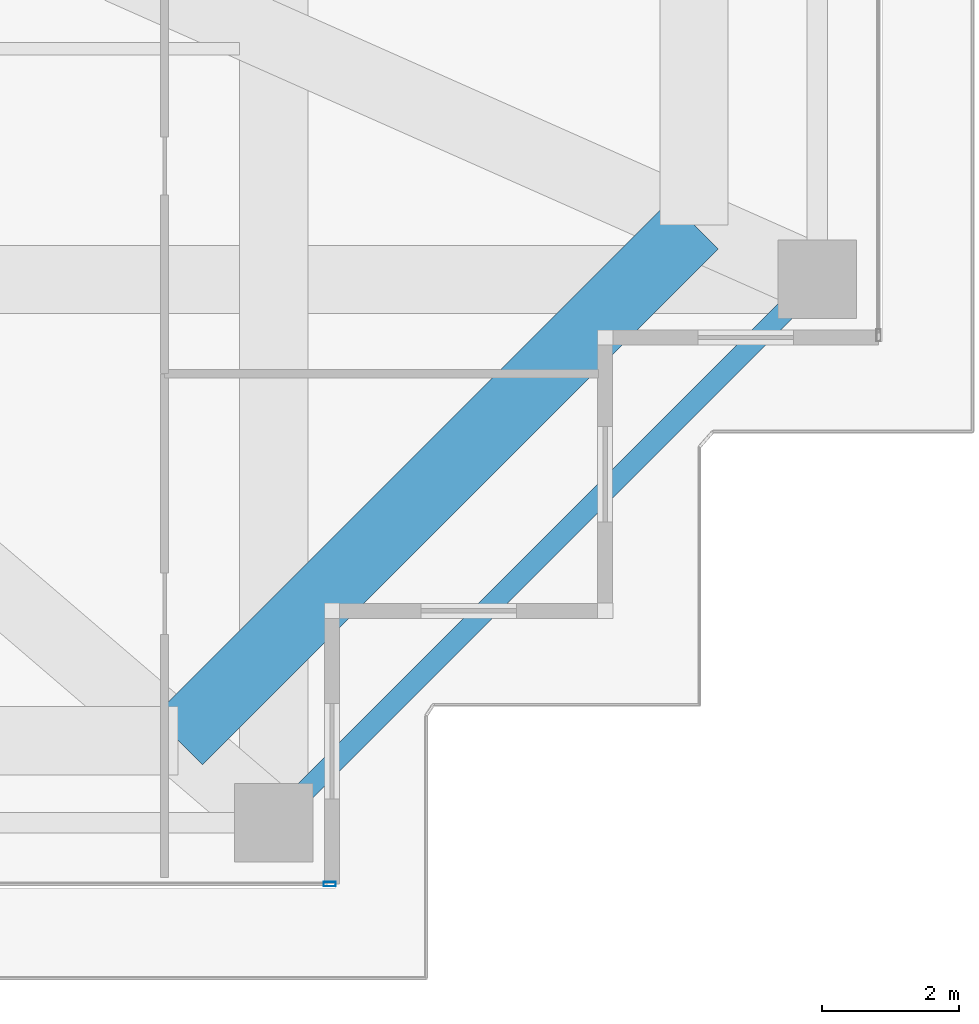
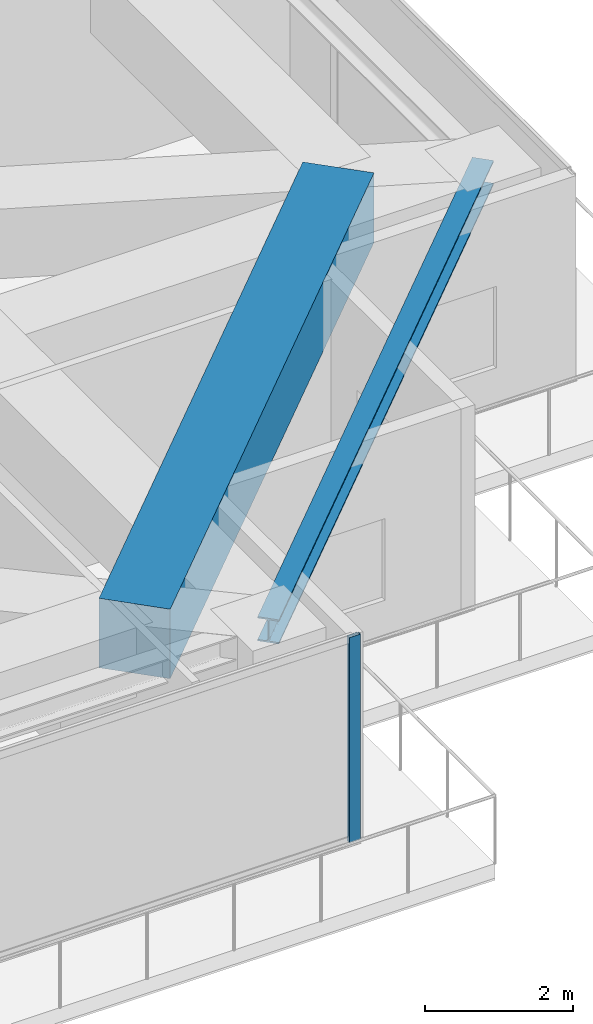
# One storey, part 15 of 39: 2 beams, 1 member, 1 element without a shape of its own.
"""IFC4 building model written with IfcOpenShell, lengths in metres."""

from ifc_helpers import new_model, si_unit, direction, frame, origin, origin_2d, place, context, subcontext, project, spatial, rectangle, hollow_rectangle, i_section, extrude, source, transform, mapped, material, layer, layer_set, material_profile, profile_set, type_object, element, aggregate, save


model = new_model("IFC4")

# Units and contexts
model_context = context("Model", 3, precision=1e-05, world=origin(), true_north=direction((0.0, 1.0)))
body_context = subcontext(model_context, "Body", "Model", "MODEL_VIEW")
ifc_project = project(units=[si_unit("LENGTHUNIT", "METRE"), si_unit("AREAUNIT", "SQUARE_METRE"), si_unit("VOLUMEUNIT", "CUBIC_METRE"), si_unit("PLANEANGLEUNIT", "RADIAN"), si_unit("MASSUNIT", "GRAM", prefix="KILO")], contexts=[model_context])

# Site, building, storey
site_placement = place(None, origin())
site = spatial("IfcSite", under=ifc_project, at=site_placement, CompositionType="ELEMENT")
building_placement = place(site_placement, origin())
building = spatial("IfcBuilding", under=site, at=building_placement, Name="Serunith Strait Residences", CompositionType="ELEMENT")
storey_placement = place(building_placement, frame((0.0, 0.0, 283.60009765625)))
storey = spatial("IfcBuildingStorey", under=building, at=storey_placement, Name="L71", CompositionType="ELEMENT", Elevation=283.60009765625)

# Beams
ifc_material_1 = material(Name="Concrete C80/95", Category="concrete")
ifc_material_profile_1 = material_profile(ifc_material_1, rectangle(XDim=1.0, YDim=1.14990234375, at=origin_2d()), Name="RC 1000x1150")
ifc_profile_set_1 = profile_set([ifc_material_profile_1], Name="Concrete C80/95")
beam_type_1 = type_object("IfcBeamType", Name="BM-XFER-1000x1150", PredefinedType="BEAM", material=ifc_profile_set_1)
shared_shape_1 = source(origin(), body_context, "Body", "SweptSolid", [
    extrude(rectangle(XDim=1.0, YDim=1.14990234375, at=origin_2d()), origin(), (0.0, 0.0, 1.0), 10.677490234375),
])
beam_1_placement = place(storey_placement, frame((47.14990234375, 3.300048828125, 2.8349609375), z_axis=(0.707106781187, 0.707106781187, 0.0), x_axis=(-0.707106781187, 0.707106781187, 0.0)))
element("IfcBeam", 1, at=beam_1_placement, inside=storey, type_object=beam_type_1, Name="L71 Flare Upper Ring Transfer Girder 04", PredefinedType="BEAM", context=body_context, shape_type="MappedRepresentation", body=[
    mapped(shared_shape_1, transform((0.0, 0.0, 0.0), scale=1.0)),
])
ifc_material_2 = material(Name="Steel S355J2", Category="steel")
ifc_material_profile_2 = material_profile(ifc_material_2, i_section(OverallWidth=0.300048828125, OverallDepth=0.39990234375, WebThickness=0.013427734375, FlangeThickness=0.02392578125, FilletRadius=0.027099609375, at=origin_2d()), Name="HEB 400")
ifc_profile_set_2 = profile_set([ifc_material_profile_2], Name="Steel S355J2")
beam_type_2 = type_object("IfcBeamType", Name="BM-HEB400", PredefinedType="BEAM", material=ifc_profile_set_2)
shared_shape_2 = source(origin(), body_context, "Body", "SweptSolid", [
    extrude(i_section(OverallWidth=0.300048828125, OverallDepth=0.39990234375, WebThickness=0.013427734375, FlangeThickness=0.02392578125, FilletRadius=0.027099609375, at=origin_2d()), origin(), (0.0, 0.0, 1.0), 11.242919921875),
])
beam_2_placement = place(storey_placement, frame((48.550048828125, 2.10009765625, 3.206787109375), z_axis=(0.707106781187, 0.707106781187, 0.0), x_axis=(-0.707106781187, 0.707106781187, 0.0)))
element("IfcBeam", 2, at=beam_2_placement, inside=storey, type_object=beam_type_2, Name="L71 Perimeter Ring Beam 04", PredefinedType="BEAM", context=body_context, shape_type="MappedRepresentation", body=[
    mapped(shared_shape_2, transform((0.0, 0.0, 0.0), scale=1.0)),
])

# Curtain wall, member
ifc_material_3 = material(Name="Pale-Champagne Anodised Aluminium", Category="aluminium")
ifc_layer = layer(ifc_material_3, 0.199951171875, Name="Pale-Champagne Anodised Aluminium")
ifc_layer_set = layer_set([ifc_layer], Name="Pale-Champagne Anodised Aluminium")
curtain_wall_type = type_object("IfcCurtainWallType", Name="CW-SYS4", PredefinedType="NOTDEFINED", material=ifc_layer_set)
curtain_wall_placement = place(storey_placement, origin())
curtain_wall = element("IfcCurtainWall", 3, at=curtain_wall_placement, inside=storey, type_object=curtain_wall_type, Name="L71 S Unitised Fritted Curtain Wall", PredefinedType="NOTDEFINED")
ifc_material_profile_3 = material_profile(ifc_material_3, hollow_rectangle(XDim=0.06494140625, YDim=0.179931640625, WallThickness=0.00341796875, InnerFilletRadius=0.00537109375, OuterFilletRadius=0.0087890625, at=origin_2d()), Name="ALU 180x65x3.5")
ifc_profile_set_3 = profile_set([ifc_material_profile_3], Name="Pale-Champagne Anodised Aluminium")
member_type = type_object("IfcMemberType", Name="CW-SYS4-MULL", PredefinedType="MULLION", material=ifc_profile_set_3)
shared_shape_3 = source(origin(), body_context, "Body", "SweptSolid", [
    extrude(hollow_rectangle(XDim=0.06494140625, YDim=0.179931640625, WallThickness=0.00341796875, InnerFilletRadius=0.00537109375, OuterFilletRadius=0.0087890625, at=origin_2d()), origin(), (0.0, 0.0, 1.0), 3.39501953125),
])
member_placement = place(storey_placement, frame((49.367431640625, 1.199951171875, 0.0), z_axis=(0.0, 0.0, 1.0), x_axis=(0.0, 1.0, 0.0)))
member = element("IfcMember", 4, at=member_placement, type_object=member_type, Name="CW-4 mullion 6", PredefinedType="MULLION", context=body_context, shape_type="MappedRepresentation", body=[
    mapped(shared_shape_3, transform((0.0, 0.0, 0.0), scale=1.0)),
])
aggregate(curtain_wall, [member])

save(model, "model.ifc")
